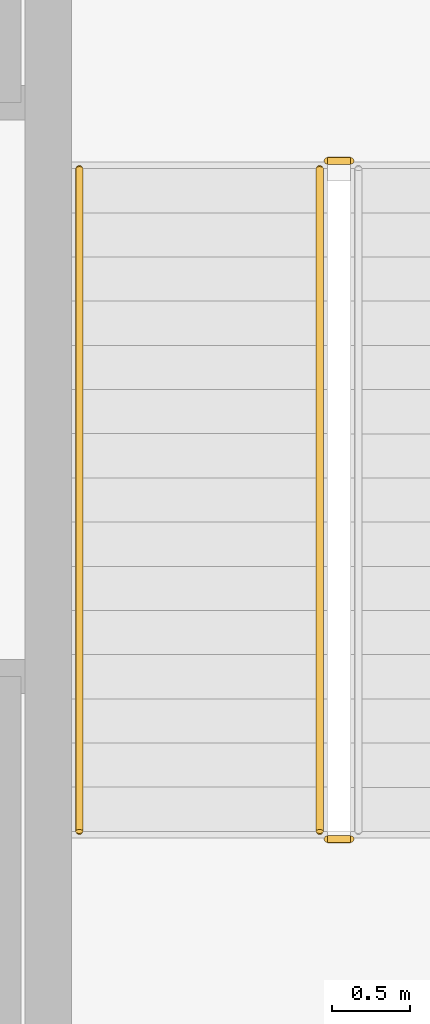
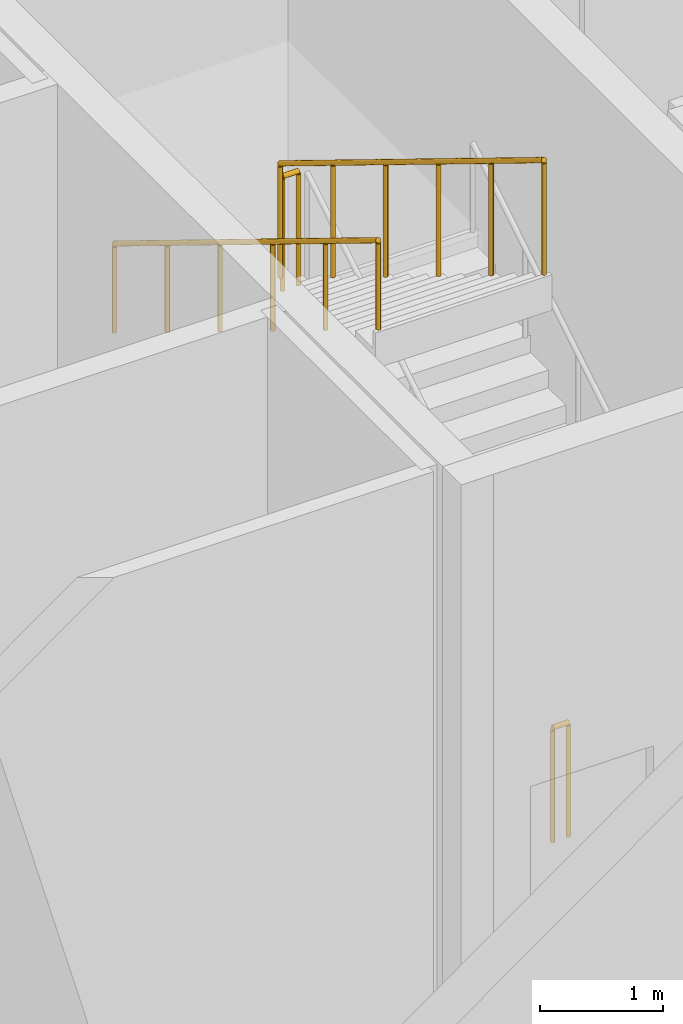
# One storey, part 19 of 21: 4 railings.
"""IFC4 building model written with IfcOpenShell, lengths in metres."""

from ifc_helpers import new_model, si_unit, direction, frame, origin, origin_2d, place, context, subcontext, project, spatial, circle, extrude, material, type_object, element, save


model = new_model("IFC4")

# Units and contexts
model_context = context("Model", 3, precision=1e-05, world=origin(), true_north=direction((0.0, 1.0)))
body_context = subcontext(model_context, "Body", "Model", "MODEL_VIEW")
ifc_project = project(units=[si_unit("LENGTHUNIT", "METRE"), si_unit("AREAUNIT", "SQUARE_METRE"), si_unit("VOLUMEUNIT", "CUBIC_METRE"), si_unit("PLANEANGLEUNIT", "RADIAN"), si_unit("MASSUNIT", "GRAM", prefix="KILO")], contexts=[model_context])

# Site, building, storey
site_placement = place(None, origin())
site = spatial("IfcSite", under=ifc_project, at=site_placement, CompositionType="ELEMENT")
building_placement = place(site_placement, origin())
building = spatial("IfcBuilding", under=site, at=building_placement, Name="Nhamokura Convention Tower", CompositionType="ELEMENT")
storey_placement = place(building_placement, frame((0.0, 0.0, 6.64990234375)))
storey = spatial("IfcBuildingStorey", under=building, at=storey_placement, Name="L01", CompositionType="ELEMENT", Elevation=6.64990234375)

# Railings
ifc_material_1 = material(Name="Anodised bronze stainless steel", Category="steel")
railing_type_1 = type_object("IfcRailingType", Name="StairWallHandrail_900", PredefinedType="HANDRAIL", material=ifc_material_1)
railing_1_placement = place(storey_placement, frame((30.300048828125, 39.425048828125, 2.97509765625)))
element("IfcRailing", 1, at=railing_1_placement, inside=storey, type_object=railing_type_1, Name="L01 ST-03 stair handrail 2", PredefinedType="HANDRAIL", context=body_context, shape_type="SweptSolid", body=[
    extrude(circle(Radius=0.02392578125, at=origin_2d()), frame((0.0, 0.0, 0.8759765625), z_axis=(0.0, -0.852179220489, 0.52325001306), x_axis=(1.0, 0.0, 0.0)), (0.0, 0.0, 1.0), 5.0166015625),
    extrude(circle(Radius=0.02099609375, at=origin_2d()), origin(), (0.0, 0.0, 1.0), 0.851806640625),
    extrude(circle(Radius=0.02099609375, at=origin_2d()), frame((0.0, -0.85498046875, 0.52490234375)), (0.0, 0.0, 1.0), 0.851806640625),
    extrude(circle(Radius=0.02099609375, at=origin_2d()), frame((0.0, -1.7099609375, 1.050048828125)), (0.0, 0.0, 1.0), 0.851806640625),
    extrude(circle(Radius=0.02099609375, at=origin_2d()), frame((0.0, -2.565185546875, 1.574951171875)), (0.0, 0.0, 1.0), 0.851806640625),
    extrude(circle(Radius=0.02099609375, at=origin_2d()), frame((0.0, -3.420166015625, 2.10009765625)), (0.0, 0.0, 1.0), 0.851806640625),
    extrude(circle(Radius=0.02099609375, at=origin_2d()), frame((0.0, -4.275146484375, 2.625)), (0.0, 0.0, 1.0), 0.851806640625),
])
ifc_material_2 = material(Name="Painted tubular steel", Category="steel")
railing_type_2 = type_object("IfcRailingType", Name="StairWellGuardrail_1150", PredefinedType="GUARDRAIL", material=ifc_material_2)
railing_2_placement = place(storey_placement, frame((32.050048828125, 39.47509765625, 2.800048828125)))
element("IfcRailing", 2, at=railing_2_placement, inside=storey, type_object=railing_type_2, Name="L01 ST-03 stair guard 2", PredefinedType="GUARDRAIL", context=body_context, shape_type="SweptSolid", body=[
    extrude(circle(Radius=0.02392578125, at=origin_2d()), frame((0.0, 0.0, 1.1259765625), z_axis=(-1.0, 0.0, 0.0), x_axis=(0.0, -1.0, 0.0)), (0.0, 0.0, 1.0), 0.150146484375),
    extrude(circle(Radius=0.02099609375, at=origin_2d()), origin(), (0.0, 0.0, 1.0), 1.101806640625),
    extrude(circle(Radius=0.02099609375, at=origin_2d()), frame((-0.150146484375, 0.0, 0.0)), (0.0, 0.0, 1.0), 1.101806640625),
])
railing_3_placement = place(storey_placement, frame((31.85009765625, 39.425048828125, 2.97509765625)))
element("IfcRailing", 3, at=railing_3_placement, inside=storey, type_object=railing_type_2, Name="L01 ST-03 stair guard 3", PredefinedType="GUARDRAIL", context=body_context, shape_type="SweptSolid", body=[
    extrude(circle(Radius=0.02392578125, at=origin_2d()), frame((0.0, 0.0, 1.1259765625), z_axis=(0.0, -0.852179220489, 0.52325001306), x_axis=(1.0, 0.0, 0.0)), (0.0, 0.0, 1.0), 5.0166015625),
    extrude(circle(Radius=0.02099609375, at=origin_2d()), origin(), (0.0, 0.0, 1.0), 1.101806640625),
    extrude(circle(Radius=0.02099609375, at=origin_2d()), frame((0.0, -0.85498046875, 0.52490234375)), (0.0, 0.0, 1.0), 1.101806640625),
    extrude(circle(Radius=0.02099609375, at=origin_2d()), frame((0.0, -1.7099609375, 1.050048828125)), (0.0, 0.0, 1.0), 1.101806640625),
    extrude(circle(Radius=0.02099609375, at=origin_2d()), frame((0.0, -2.565185546875, 1.574951171875)), (0.0, 0.0, 1.0), 1.101806640625),
    extrude(circle(Radius=0.02099609375, at=origin_2d()), frame((0.0, -3.420166015625, 2.10009765625)), (0.0, 0.0, 1.0), 1.101806640625),
    extrude(circle(Radius=0.02099609375, at=origin_2d()), frame((0.0, -4.275146484375, 2.625)), (0.0, 0.0, 1.0), 1.101806640625),
])
railing_4_placement = place(storey_placement, frame((32.050048828125, 35.10009765625, 0.0)))
element("IfcRailing", 4, at=railing_4_placement, inside=storey, type_object=railing_type_2, Name="L01 ST-03 stair guard 4", PredefinedType="GUARDRAIL", context=body_context, shape_type="SweptSolid", body=[
    extrude(circle(Radius=0.02392578125, at=origin_2d()), frame((0.0, 0.0, 1.1259765625), z_axis=(-1.0, 0.0, 0.0), x_axis=(0.0, -1.0, 0.0)), (0.0, 0.0, 1.0), 0.150146484375),
    extrude(circle(Radius=0.02099609375, at=origin_2d()), origin(), (0.0, 0.0, 1.0), 1.101806640625),
    extrude(circle(Radius=0.02099609375, at=origin_2d()), frame((-0.150146484375, 0.0, 0.0)), (0.0, 0.0, 1.0), 1.101806640625),
])

save(model, "model.ifc")
